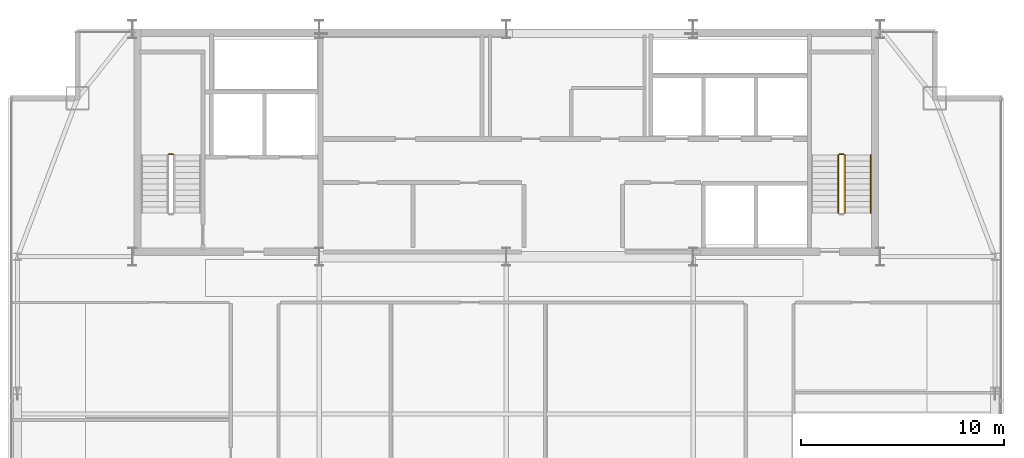
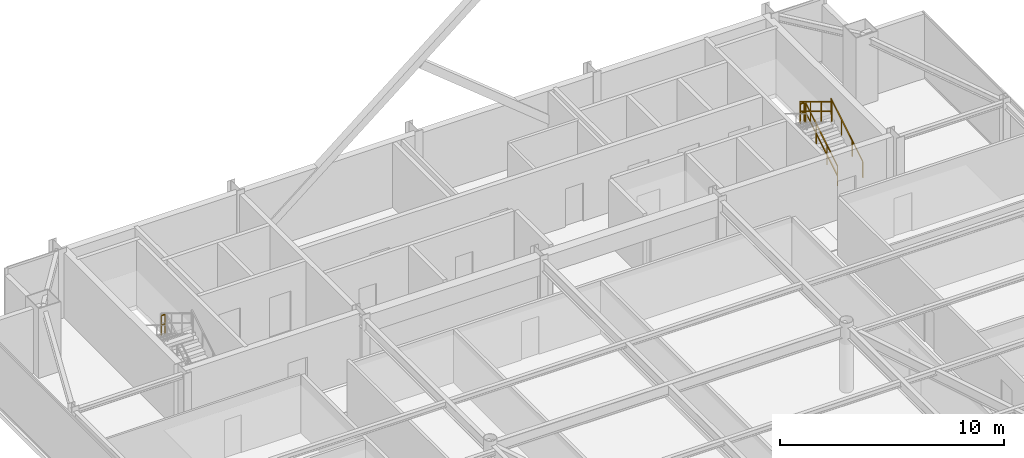
# One storey, part 31 of 31: 5 railings.
"""IFC4 building model written with IfcOpenShell, lengths in metres."""

from ifc_helpers import new_model, si_unit, direction, frame, origin, origin_2d, place, context, subcontext, project, spatial, rectangle, extrude, material, type_object, element, save


model = new_model("IFC4")

# Units and contexts
model_context = context("Model", 3, precision=1e-05, world=origin(), true_north=direction((0.0, 1.0)))
body_context = subcontext(model_context, "Body", "Model", "MODEL_VIEW")
ifc_project = project(units=[si_unit("LENGTHUNIT", "METRE"), si_unit("AREAUNIT", "SQUARE_METRE"), si_unit("VOLUMEUNIT", "CUBIC_METRE"), si_unit("PLANEANGLEUNIT", "RADIAN"), si_unit("MASSUNIT", "GRAM", prefix="KILO")], contexts=[model_context])

# Site, building, storey
site_placement = place(None, origin())
site = spatial("IfcSite", under=ifc_project, at=site_placement, CompositionType="ELEMENT")
building_placement = place(site_placement, origin())
building = spatial("IfcBuilding", under=site, at=building_placement, Name="Varnel Quay Broadcast Tower", CompositionType="ELEMENT")
storey_placement = place(building_placement, frame((0.0, 0.0, 215.0)))
storey = spatial("IfcBuildingStorey", under=building, at=storey_placement, Name="L53", CompositionType="ELEMENT", Elevation=215.0)

# Railings
ifc_material = material(Name="Painted Steel Guard and Handrail CSA G40.21 350W", Category="steel")
railing_type_1 = type_object("IfcRailingType", Name="Rail_StairGuard1100", PredefinedType="GUARDRAIL", material=ifc_material)
railing_1_placement = place(storey_placement, frame((17.60009765625, 40.64990234375, 1.89990234375)))
element("IfcRailing", 1, at=railing_1_placement, inside=storey, type_object=railing_type_1, Name="L53 ST-01 stair guard 2", PredefinedType="GUARDRAIL", context=body_context, shape_type="SweptSolid", body=[
    extrude(rectangle(XDim=0.048095703125, YDim=0.048095703125, at=origin_2d()), frame((0.0, 0.0, 1.076171875), z_axis=(-1.0, 0.0, 0.0), x_axis=(0.0, -1.0, 0.0)), (0.0, 0.0, 1.0), 0.2001953125),
    extrude(rectangle(XDim=0.048095703125, YDim=0.048095703125, at=origin_2d()), frame((0.0, 0.0, 0.550048828125), z_axis=(-1.0, 0.0, 0.0), x_axis=(0.0, -1.0, 0.0)), (0.0, 0.0, 1.0), 0.2001953125),
    extrude(rectangle(XDim=0.0419921875, YDim=0.0419921875, at=origin_2d()), origin(), (0.0, 0.0, 1.0), 1.052001953125),
    extrude(rectangle(XDim=0.0419921875, YDim=0.0419921875, at=origin_2d()), frame((-0.2001953125, 0.0, 0.0)), (0.0, 0.0, 1.0), 1.052001953125),
])
railing_2_placement = place(storey_placement, frame((50.64990234375, 37.75, 0.172607421875)))
element("IfcRailing", 2, at=railing_2_placement, inside=storey, type_object=railing_type_1, Name="L53 ST-02 stair guard 1", PredefinedType="GUARDRAIL", context=body_context, shape_type="SweptSolid", body=[
    extrude(rectangle(XDim=0.048095703125, YDim=0.048095703125, at=origin_2d()), frame((0.0, 0.0, 1.076171875), z_axis=(0.0, 0.855202751398, 0.518293598264), x_axis=(-1.0, 0.0, 0.0)), (0.0, 0.0, 1.0), 3.332763671875),
    extrude(rectangle(XDim=0.048095703125, YDim=0.048095703125, at=origin_2d()), frame((0.0, 0.0, 0.550048828125), z_axis=(0.0, 0.855202751398, 0.518293598264), x_axis=(-1.0, 0.0, 0.0)), (0.0, 0.0, 1.0), 3.332763671875),
    extrude(rectangle(XDim=0.0419921875, YDim=0.0419921875, at=origin_2d()), origin(), (0.0, 0.0, 1.0), 1.052001953125),
    extrude(rectangle(XDim=0.0419921875, YDim=0.0419921875, at=origin_2d()), frame((0.0, 0.949951171875, 0.57568359375)), (0.0, 0.0, 1.0), 1.052001953125),
    extrude(rectangle(XDim=0.0419921875, YDim=0.0419921875, at=origin_2d()), frame((0.0, 1.900146484375, 1.151611328125)), (0.0, 0.0, 1.0), 1.052001953125),
    extrude(rectangle(XDim=0.0419921875, YDim=0.0419921875, at=origin_2d()), frame((0.0, 2.85009765625, 1.727294921875)), (0.0, 0.0, 1.0), 1.052001953125),
])
railing_3_placement = place(storey_placement, frame((50.60009765625, 40.64990234375, 1.89990234375)))
element("IfcRailing", 3, at=railing_3_placement, inside=storey, type_object=railing_type_1, Name="L53 ST-02 stair guard 2", PredefinedType="GUARDRAIL", context=body_context, shape_type="SweptSolid", body=[
    extrude(rectangle(XDim=0.048095703125, YDim=0.048095703125, at=origin_2d()), frame((0.0, 0.0, 1.076171875), z_axis=(-1.0, 0.0, 0.0), x_axis=(0.0, -1.0, 0.0)), (0.0, 0.0, 1.0), 0.2001953125),
    extrude(rectangle(XDim=0.048095703125, YDim=0.048095703125, at=origin_2d()), frame((0.0, 0.0, 0.550048828125), z_axis=(-1.0, 0.0, 0.0), x_axis=(0.0, -1.0, 0.0)), (0.0, 0.0, 1.0), 0.2001953125),
    extrude(rectangle(XDim=0.0419921875, YDim=0.0419921875, at=origin_2d()), origin(), (0.0, 0.0, 1.0), 1.052001953125),
    extrude(rectangle(XDim=0.0419921875, YDim=0.0419921875, at=origin_2d()), frame((-0.2001953125, 0.0, 0.0)), (0.0, 0.0, 1.0), 1.052001953125),
])
railing_4_placement = place(storey_placement, frame((50.35009765625, 40.60009765625, 2.07275390625)))
element("IfcRailing", 4, at=railing_4_placement, inside=storey, type_object=railing_type_1, Name="L53 ST-02 stair guard 3", PredefinedType="GUARDRAIL", context=body_context, shape_type="SweptSolid", body=[
    extrude(rectangle(XDim=0.048095703125, YDim=0.048095703125, at=origin_2d()), frame((0.0, 0.0, 1.076171875), z_axis=(0.0, -0.855202751398, 0.518293598264), x_axis=(1.0, 0.0, 0.0)), (0.0, 0.0, 1.0), 3.332763671875),
    extrude(rectangle(XDim=0.048095703125, YDim=0.048095703125, at=origin_2d()), frame((0.0, 0.0, 0.550048828125), z_axis=(0.0, -0.855202751398, 0.518293598264), x_axis=(1.0, 0.0, 0.0)), (0.0, 0.0, 1.0), 3.332763671875),
    extrude(rectangle(XDim=0.0419921875, YDim=0.0419921875, at=origin_2d()), origin(), (0.0, 0.0, 1.0), 1.052001953125),
    extrude(rectangle(XDim=0.0419921875, YDim=0.0419921875, at=origin_2d()), frame((0.0, -0.949951171875, 0.57568359375)), (0.0, 0.0, 1.0), 1.052001953125),
    extrude(rectangle(XDim=0.0419921875, YDim=0.0419921875, at=origin_2d()), frame((0.0, -1.900146484375, 1.151611328125)), (0.0, 0.0, 1.0), 1.052001953125),
    extrude(rectangle(XDim=0.0419921875, YDim=0.0419921875, at=origin_2d()), frame((0.0, -2.85009765625, 1.727294921875)), (0.0, 0.0, 1.0), 1.052001953125),
])
railing_type_2 = type_object("IfcRailingType", Name="Rail_StairHandrail900", PredefinedType="HANDRAIL", material=ifc_material)
railing_5_placement = place(storey_placement, frame((51.949951171875, 37.75, 0.172607421875)))
element("IfcRailing", 5, at=railing_5_placement, inside=storey, type_object=railing_type_2, Name="L53 ST-02 stair handrail 1", PredefinedType="HANDRAIL", context=body_context, shape_type="SweptSolid", body=[
    extrude(rectangle(XDim=0.048095703125, YDim=0.048095703125, at=origin_2d()), frame((0.0, 0.0, 0.8759765625), z_axis=(0.0, 0.855202751398, 0.518293598264), x_axis=(-1.0, 0.0, 0.0)), (0.0, 0.0, 1.0), 3.332763671875),
    extrude(rectangle(XDim=0.0419921875, YDim=0.0419921875, at=origin_2d()), origin(), (0.0, 0.0, 1.0), 0.851806640625),
    extrude(rectangle(XDim=0.0419921875, YDim=0.0419921875, at=origin_2d()), frame((0.0, 0.949951171875, 0.57568359375)), (0.0, 0.0, 1.0), 0.851806640625),
    extrude(rectangle(XDim=0.0419921875, YDim=0.0419921875, at=origin_2d()), frame((0.0, 1.900146484375, 1.151611328125)), (0.0, 0.0, 1.0), 0.851806640625),
    extrude(rectangle(XDim=0.0419921875, YDim=0.0419921875, at=origin_2d()), frame((0.0, 2.85009765625, 1.727294921875)), (0.0, 0.0, 1.0), 0.851806640625),
])

save(model, "model.ifc")
